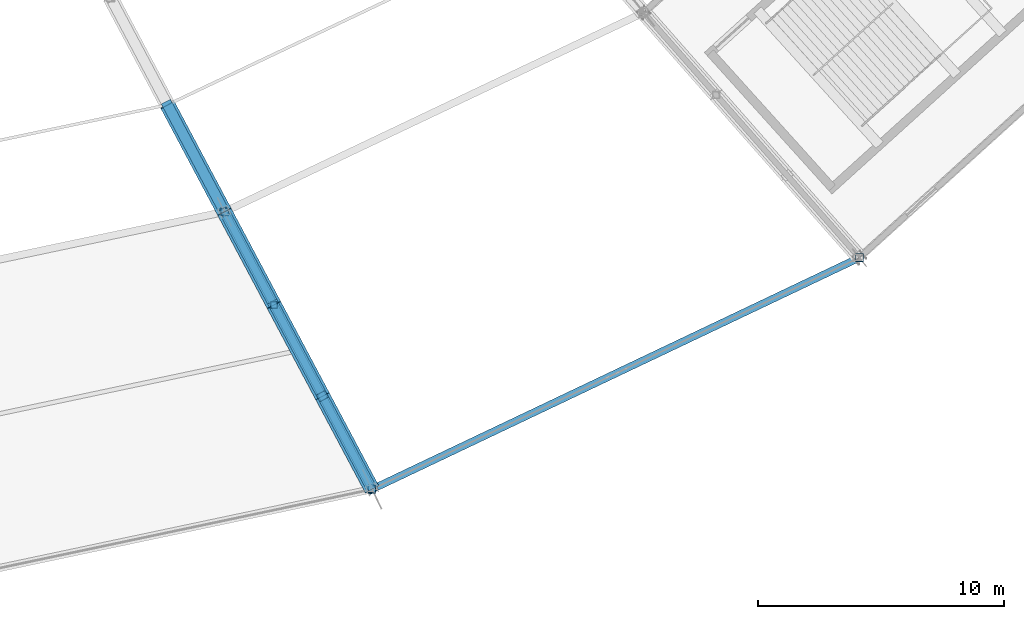
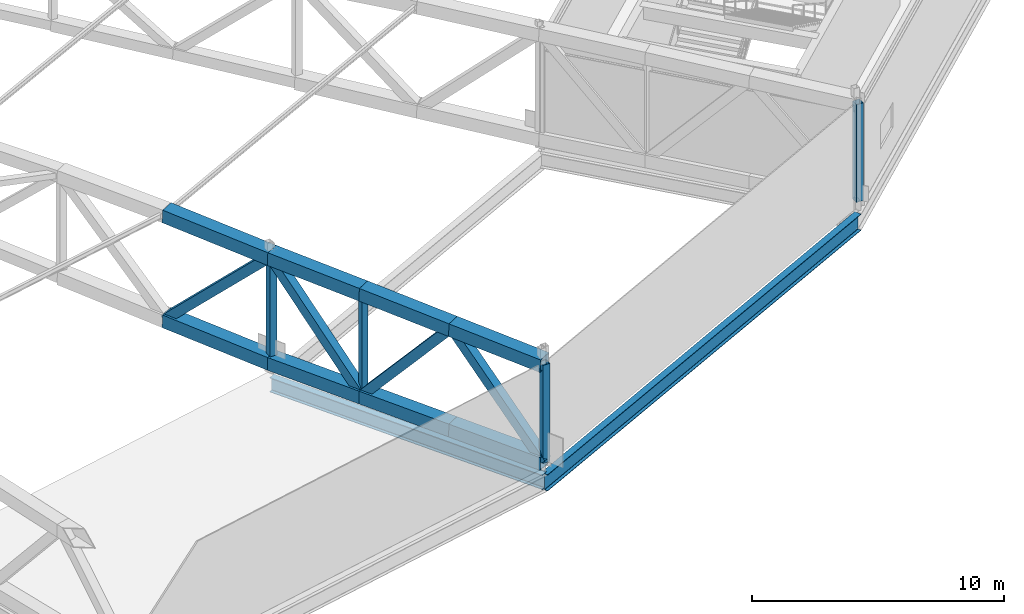
# One storey, part 47 of 162: 16 members, 2 beams.
"""IFC4 building model written with IfcOpenShell, lengths in metres."""

from ifc_helpers import new_model, si_unit, direction, frame, origin, origin_2d, place, context, subcontext, project, spatial, hollow_rectangle, i_section, extrude, material, material_profile, profile_set, type_object, element, save


model = new_model("IFC4")

# Units and contexts
model_context = context("Model", 3, precision=1e-05, world=origin(), true_north=direction((0.0, 1.0)))
body_context = subcontext(model_context, "Body", "Model", "MODEL_VIEW")
ifc_project = project(units=[si_unit("LENGTHUNIT", "METRE"), si_unit("AREAUNIT", "SQUARE_METRE"), si_unit("VOLUMEUNIT", "CUBIC_METRE"), si_unit("PLANEANGLEUNIT", "RADIAN"), si_unit("MASSUNIT", "GRAM", prefix="KILO")], contexts=[model_context])

# Site, building, storey
site_placement = place(None, origin())
site = spatial("IfcSite", under=ifc_project, at=site_placement, CompositionType="ELEMENT")
building_placement = place(site_placement, origin())
building = spatial("IfcBuilding", under=site, at=building_placement, Name="Kazemori Nagisa Stadium", CompositionType="ELEMENT")
storey_placement = place(building_placement, frame((0.0, 0.0, 36.719970703125)))
storey = spatial("IfcBuildingStorey", under=building, at=storey_placement, Name="RF", CompositionType="ELEMENT", Elevation=36.719970703125)

# Beams
ifc_material_1 = material(Name="Steel SN490B", Category="steel")
ifc_material_profile_1 = material_profile(ifc_material_1, i_section(OverallWidth=0.300048828125, OverallDepth=0.699951171875, WebThickness=0.012939453125, FlangeThickness=0.02392578125, FilletRadius=0.01806640625, at=origin_2d()), Name="H-700x300x13x24")
ifc_profile_set_1 = profile_set([ifc_material_profile_1], Name="Steel SN490B")
beam_type_1 = type_object("IfcBeamType", Name="Beam_BG-H700", PredefinedType="BEAM", material=ifc_profile_set_1)
beam_1_placement = place(storey_placement, frame((159.81201171875, 32.80078125, -0.6298828125), z_axis=(0.469648511848, -0.882853484628, 0.0), x_axis=(0.882853484628, 0.469648511848, 0.0)))
element("IfcBeam", 1, at=beam_1_placement, inside=storey, type_object=beam_type_1, Name="Radial girder BG-H700 RF R2-R3-24", PredefinedType="BEAM", context=body_context, shape_type="SweptSolid", body=[
    extrude(i_section(OverallWidth=0.300048828125, OverallDepth=0.699951171875, WebThickness=0.012939453125, FlangeThickness=0.02392578125, FilletRadius=0.01806640625, at=origin_2d()), origin(), (0.0, 0.0, 1.0), 12.760009765625),
])
ifc_material_profile_2 = material_profile(ifc_material_1, i_section(OverallWidth=0.300048828125, OverallDepth=0.800048828125, WebThickness=0.013916015625, FlangeThickness=0.02587890625, FilletRadius=0.01806640625, at=origin_2d()), Name="H-800x300x14x26")
ifc_profile_set_2 = profile_set([ifc_material_profile_2], Name="Steel SN490B")
beam_type_2 = type_object("IfcBeamType", Name="Beam_BG-H800", PredefinedType="BEAM", material=ifc_profile_set_2)
beam_2_placement = place(storey_placement, frame((165.8046875, 21.53564453125, -0.679931640625), z_axis=(0.903215644095, 0.429187022475, 0.0), x_axis=(-0.429187022475, 0.903215644095, 0.0)))
element("IfcBeam", 2, at=beam_2_placement, inside=storey, type_object=beam_type_2, Name="Roof compression ring beam BG-H800 R3-24", PredefinedType="BEAM", context=body_context, shape_type="SweptSolid", body=[
    extrude(i_section(OverallWidth=0.300048828125, OverallDepth=0.800048828125, WebThickness=0.013916015625, FlangeThickness=0.02587890625, FilletRadius=0.01806640625, at=origin_2d()), origin(), (0.0, 0.0, 1.0), 21.9140625),
])

# Members
ifc_material_2 = material(Name="Steel STKR490", Category="steel")
ifc_material_profile_3 = material_profile(ifc_material_2, hollow_rectangle(XDim=0.419921875, YDim=0.419921875, WallThickness=0.01611328125, at=origin_2d()), Name="SHS-420x420x16")
ifc_profile_set_3 = profile_set([ifc_material_profile_3], Name="Steel STKR490")
member_type_1 = type_object("IfcMemberType", Name="Member_TB-SHS420", PredefinedType="BRACE", material=ifc_profile_set_3)
member_1_placement = place(storey_placement, frame((165.8046875, 21.53564453125, 0.360107421875), z_axis=(-0.309095104142, 0.581091293478, 0.752856643219), x_axis=(-0.882869875406, -0.46961769888, 0.0)))
element("IfcMember", 3, at=member_1_placement, inside=storey, type_object=member_type_1, Name="Roof space truss diagonal RT-24-1", PredefinedType="BRACE", context=body_context, shape_type="SweptSolid", body=[
    extrude(hollow_rectangle(XDim=0.419921875, YDim=0.419921875, WallThickness=0.01611328125, at=origin_2d()), origin(), (0.0, 0.0, 1.0), 6.50830078125),
])
member_2_placement = place(storey_placement, frame((163.79296875, 25.317626953125, 5.260009765625), z_axis=(-0.308218417278, 0.579404764334, -0.754514099482), x_axis=(-0.882856977969, -0.469641944945, 0.0)))
element("IfcMember", 4, at=member_2_placement, inside=storey, type_object=member_type_1, Name="Roof space truss diagonal RT-24-2", PredefinedType="BRACE", context=body_context, shape_type="SweptSolid", body=[
    extrude(hollow_rectangle(XDim=0.419921875, YDim=0.419921875, WallThickness=0.01611328125, at=origin_2d()), origin(), (0.0, 0.0, 1.0), 6.388427734375),
])
member_3_placement = place(storey_placement, frame((161.823974609375, 29.01904296875, 0.43994140625), z_axis=(-0.301385485298, 0.566492072233, 0.766976871457), x_axis=(-0.882833673063, -0.469685752079, 0.0)))
element("IfcMember", 5, at=member_3_placement, inside=storey, type_object=member_type_1, Name="Roof space truss diagonal RT-24-3", PredefinedType="BRACE", context=body_context, shape_type="SweptSolid", body=[
    extrude(hollow_rectangle(XDim=0.419921875, YDim=0.419921875, WallThickness=0.01611328125, at=origin_2d()), origin(), (0.0, 0.0, 1.0), 6.67578125),
])
member_4_placement = place(storey_placement, frame((159.81201171875, 32.80078125, 5.56005859375), z_axis=(-0.334768872513, 0.629265063806, -0.701395239126), x_axis=(-0.88284131776, -0.469671382624, 0.0)))
element("IfcMember", 6, at=member_4_placement, inside=storey, type_object=member_type_1, Name="Roof space truss diagonal RT-24-4", PredefinedType="BRACE", context=body_context, shape_type="SweptSolid", body=[
    extrude(hollow_rectangle(XDim=0.419921875, YDim=0.419921875, WallThickness=0.01611328125, at=origin_2d()), origin(), (0.0, 0.0, 1.0), 6.90478515625),
])
ifc_material_profile_4 = material_profile(ifc_material_2, hollow_rectangle(XDim=0.6201171875, YDim=0.6201171875, WallThickness=0.02197265625, at=origin_2d()), Name="SHS-620x620x22")
ifc_profile_set_4 = profile_set([ifc_material_profile_4], Name="Steel STKR490")
member_type_2 = type_object("IfcMemberType", Name="Member_TC-SHS620", PredefinedType="CHORD", material=ifc_profile_set_4)
member_5_placement = place(storey_placement, frame((165.8046875, 21.53564453125, 5.10009765625), z_axis=(-0.469290826717, 0.882255363674, 0.037304064502), x_axis=(-0.882869875406, -0.46961769888, 0.0)))
element("IfcMember", 7, at=member_5_placement, inside=storey, type_object=member_type_2, Name="Roof space truss top chord RT-24-1", PredefinedType="CHORD", context=body_context, shape_type="SweptSolid", body=[
    extrude(hollow_rectangle(XDim=0.6201171875, YDim=0.6201171875, WallThickness=0.02197265625, at=origin_2d()), origin(), (0.0, 0.0, 1.0), 4.28662109375),
])
member_6_placement = place(storey_placement, frame((165.8046875, 21.53564453125, 0.360107421875), z_axis=(-0.469597186871, 0.882831313327, 0.009346351778), x_axis=(-0.882869875406, -0.46961769888, 0.0)))
element("IfcMember", 8, at=member_6_placement, inside=storey, type_object=member_type_2, Name="Roof space truss bottom chord RT-24-1", PredefinedType="CHORD", context=body_context, shape_type="SweptSolid", body=[
    extrude(hollow_rectangle(XDim=0.6201171875, YDim=0.6201171875, WallThickness=0.02197265625, at=origin_2d()), origin(), (0.0, 0.0, 1.0), 4.283935546875),
])
member_7_placement = place(storey_placement, frame((163.79296875, 25.317626953125, 5.260009765625), z_axis=(-0.469300696291, 0.882215481274, 0.038114315694), x_axis=(-0.882856977969, -0.469641944945, 0.0)))
element("IfcMember", 9, at=member_7_placement, inside=storey, type_object=member_type_2, Name="Roof space truss top chord RT-24-2", PredefinedType="CHORD", context=body_context, shape_type="SweptSolid", body=[
    extrude(hollow_rectangle(XDim=0.6201171875, YDim=0.6201171875, WallThickness=0.02197265625, at=origin_2d()), origin(), (0.0, 0.0, 1.0), 4.195556640625),
])
member_8_placement = place(storey_placement, frame((163.79296875, 25.317626953125, 0.400146484375), z_axis=(-0.469620790202, 0.882817210199, 0.009491405927), x_axis=(-0.882856977969, -0.469641944945, 0.0)))
element("IfcMember", 10, at=member_8_placement, inside=storey, type_object=member_type_2, Name="Roof space truss bottom chord RT-24-2", PredefinedType="CHORD", context=body_context, shape_type="SweptSolid", body=[
    extrude(hollow_rectangle(XDim=0.6201171875, YDim=0.6201171875, WallThickness=0.02197265625, at=origin_2d()), origin(), (0.0, 0.0, 1.0), 4.192626953125),
])
member_9_placement = place(storey_placement, frame((161.823974609375, 29.01904296875, 5.419921875), z_axis=(-0.46943461682, 0.882361632634, 0.032696938485), x_axis=(-0.882833673063, -0.469685752079, 0.0)))
element("IfcMember", 11, at=member_9_placement, inside=storey, type_object=member_type_2, Name="Roof space truss top chord RT-24-3", PredefinedType="CHORD", context=body_context, shape_type="SweptSolid", body=[
    extrude(hollow_rectangle(XDim=0.6201171875, YDim=0.6201171875, WallThickness=0.02197265625, at=origin_2d()), origin(), (0.0, 0.0, 1.0), 4.285888671875),
])
member_10_placement = place(storey_placement, frame((161.823974609375, 29.01904296875, 0.43994140625), z_axis=(-0.469665236132, 0.88279511075, 0.009346571863), x_axis=(-0.882833673063, -0.469685752079, 0.0)))
element("IfcMember", 12, at=member_10_placement, inside=storey, type_object=member_type_2, Name="Roof space truss bottom chord RT-24-3", PredefinedType="CHORD", context=body_context, shape_type="SweptSolid", body=[
    extrude(hollow_rectangle(XDim=0.6201171875, YDim=0.6201171875, WallThickness=0.02197265625, at=origin_2d()), origin(), (0.0, 0.0, 1.0), 4.283935546875),
])
member_11_placement = place(storey_placement, frame((159.81201171875, 32.80078125, 5.56005859375), z_axis=(-0.469113979784, 0.88179356762, 0.048705010787), x_axis=(-0.88284131776, -0.469671382624, 0.0)))
element("IfcMember", 13, at=member_11_placement, inside=storey, type_object=member_type_2, Name="Roof space truss top chord RT-24-4", PredefinedType="CHORD", context=body_context, shape_type="SweptSolid", body=[
    extrude(hollow_rectangle(XDim=0.6201171875, YDim=0.6201171875, WallThickness=0.02197265625, at=origin_2d()), origin(), (0.0, 0.0, 1.0), 4.927490234375),
])
member_12_placement = place(storey_placement, frame((159.81201171875, 32.80078125, 0.47998046875), z_axis=(-0.469127482253, 0.881818948211, 0.048111827764), x_axis=(-0.88284131776, -0.469671382624, 0.0)))
element("IfcMember", 14, at=member_12_placement, inside=storey, type_object=member_type_2, Name="Roof space truss bottom chord RT-24-4", PredefinedType="CHORD", context=body_context, shape_type="SweptSolid", body=[
    extrude(hollow_rectangle(XDim=0.6201171875, YDim=0.6201171875, WallThickness=0.02197265625, at=origin_2d()), origin(), (0.0, 0.0, 1.0), 4.92724609375),
])
ifc_material_profile_5 = material_profile(ifc_material_2, hollow_rectangle(XDim=0.280029296875, YDim=0.280029296875, WallThickness=0.010009765625, at=origin_2d()), Name="SHS-280x280x10")
ifc_profile_set_5 = profile_set([ifc_material_profile_5], Name="Steel STKR490")
member_type_3 = type_object("IfcMemberType", Name="Member_TS-SHS280", PredefinedType="STRUT", material=ifc_profile_set_5)
member_13_placement = place(storey_placement, frame((161.823974609375, 29.01904296875, 0.43994140625), z_axis=(0.0, 0.0, 1.0), x_axis=(1.0, 0.0, 0.0)))
element("IfcMember", 15, at=member_13_placement, inside=storey, type_object=member_type_3, Name="Roof space truss strut RT-24-3", PredefinedType="STRUT", context=body_context, shape_type="SweptSolid", body=[
    extrude(hollow_rectangle(XDim=0.280029296875, YDim=0.280029296875, WallThickness=0.010009765625, at=origin_2d()), origin(), (0.0, 0.0, 1.0), 4.97998046875),
])
ifc_material_profile_6 = material_profile(ifc_material_2, hollow_rectangle(XDim=0.320068359375, YDim=0.320068359375, WallThickness=0.011962890625, at=origin_2d()), Name="SHS-320x320x12")
ifc_profile_set_6 = profile_set([ifc_material_profile_6], Name="Steel STKR490")
member_type_4 = type_object("IfcMemberType", Name="Member_TS-SHS320", PredefinedType="STRUT", material=ifc_profile_set_6)
member_14_placement = place(storey_placement, frame((165.8046875, 21.53564453125, 0.360107421875), z_axis=(0.0, 0.0, 1.0), x_axis=(1.0, 0.0, 0.0)))
element("IfcMember", 16, at=member_14_placement, inside=storey, type_object=member_type_4, Name="Roof space truss strut RT-24-1", PredefinedType="STRUT", context=body_context, shape_type="SweptSolid", body=[
    extrude(hollow_rectangle(XDim=0.320068359375, YDim=0.320068359375, WallThickness=0.011962890625, at=origin_2d()), origin(), (0.0, 0.0, 1.0), 4.739990234375),
])
member_15_placement = place(storey_placement, frame((159.81201171875, 32.80078125, 0.47998046875), z_axis=(0.0, 0.0, 1.0), x_axis=(1.0, 0.0, 0.0)))
element("IfcMember", 17, at=member_15_placement, inside=storey, type_object=member_type_4, Name="Roof space truss strut RT-24-4", PredefinedType="STRUT", context=body_context, shape_type="SweptSolid", body=[
    extrude(hollow_rectangle(XDim=0.320068359375, YDim=0.320068359375, WallThickness=0.011962890625, at=origin_2d()), origin(), (0.0, 0.0, 1.0), 5.080078125),
])
member_16_placement = place(storey_placement, frame((185.597900390625, 30.94091796875, 0.360107421875), z_axis=(0.0, 0.0, 1.0), x_axis=(1.0, 0.0, 0.0)))
element("IfcMember", 18, at=member_16_placement, inside=storey, type_object=member_type_4, Name="Roof space truss strut RT-25-1", PredefinedType="STRUT", context=body_context, shape_type="SweptSolid", body=[
    extrude(hollow_rectangle(XDim=0.320068359375, YDim=0.320068359375, WallThickness=0.011962890625, at=origin_2d()), origin(), (0.0, 0.0, 1.0), 4.739990234375),
])

save(model, "model.ifc")
